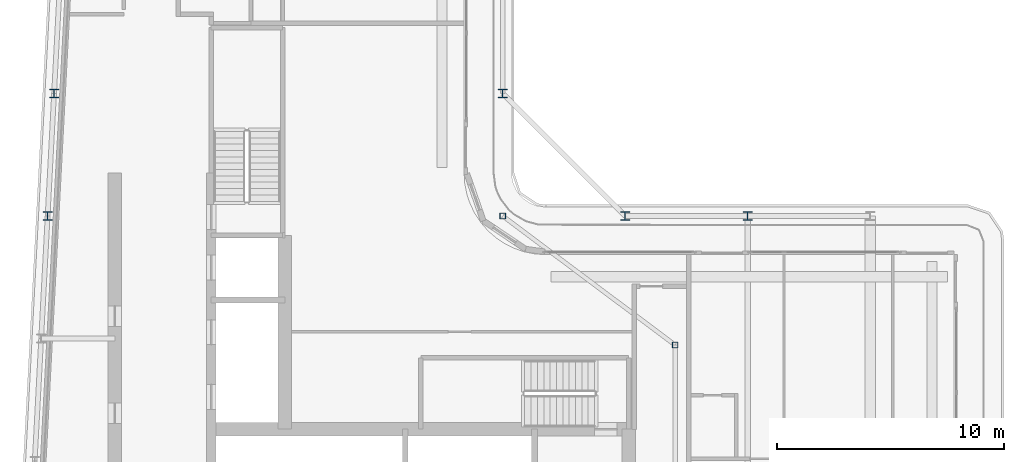
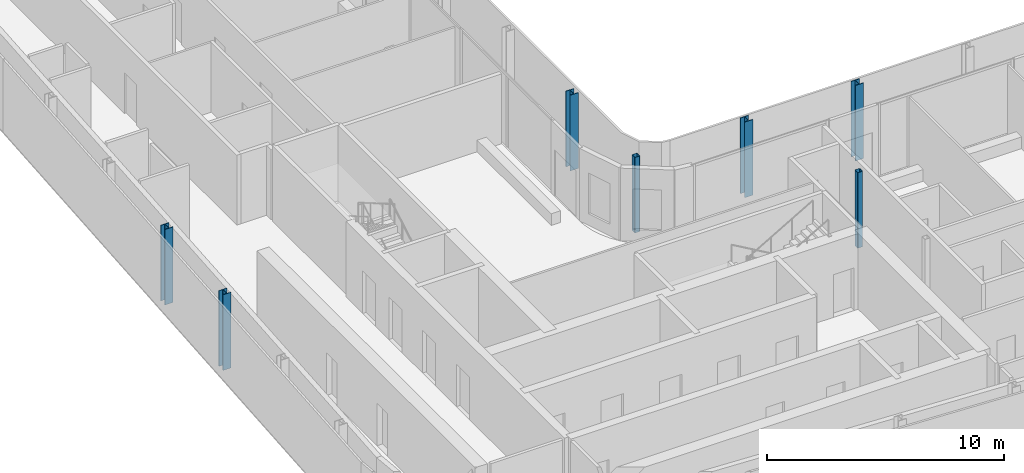
# One storey, part 2 of 21: 7 columns.
"""IFC4 building model written with IfcOpenShell, lengths in metres."""

from ifc_helpers import new_model, si_unit, direction, frame, origin, origin_2d, place, context, subcontext, project, spatial, hollow_rectangle, i_section, extrude, material, material_profile, profile_set, type_object, element, save


model = new_model("IFC4")

# Units and contexts
model_context = context("Model", 3, precision=1e-05, world=origin(), true_north=direction((0.0, 1.0)))
body_context = subcontext(model_context, "Body", "Model", "MODEL_VIEW")
ifc_project = project(units=[si_unit("LENGTHUNIT", "METRE"), si_unit("AREAUNIT", "SQUARE_METRE"), si_unit("VOLUMEUNIT", "CUBIC_METRE"), si_unit("PLANEANGLEUNIT", "RADIAN"), si_unit("MASSUNIT", "GRAM", prefix="KILO")], contexts=[model_context])

# Site, building, storey
site_placement = place(None, origin())
site = spatial("IfcSite", under=ifc_project, at=site_placement, CompositionType="ELEMENT")
building_placement = place(site_placement, origin())
building = spatial("IfcBuilding", under=site, at=building_placement, Name="Kheshtan School and Residences Tower", CompositionType="ELEMENT")
storey_placement = place(building_placement, frame((0.0, 0.0, 317.60009765625)))
storey = spatial("IfcBuildingStorey", under=building, at=storey_placement, Name="L75", CompositionType="ELEMENT", Elevation=317.60009765625)

# Columns
ifc_material_1 = material(Name="Steel ASTM A992 Grade 50", Category="steel")
ifc_material_profile_1 = material_profile(ifc_material_1, i_section(OverallWidth=0.39501953125, OverallDepth=0.3798828125, WebThickness=0.018798828125, FlangeThickness=0.0302734375, FilletRadius=0.011474609375, at=origin_2d()), Name="W360x237")
ifc_profile_set_1 = profile_set([ifc_material_profile_1], Name="Steel ASTM A992 Grade 50")
column_type_1 = type_object("IfcColumnType", Name="Column C5 W360x237 ASTM A992 Grade 50", PredefinedType="COLUMN", material=ifc_profile_set_1)
for number, where, z_axis, x_axis, name in (
    (1, (27.537109375, 45.60009765625, 0.0), (0.0, 0.0, 1.0), (1.0, 0.0, 0.0), "Column C059"),
    (2, (53.0, 45.60009765625, 0.0), (0.0, 0.0, 1.0), (1.0, 0.0, 0.0), "Column C061"),
    (3, (58.39990234375, 45.60009765625, 0.0), (0.0, 0.0, 1.0), (1.0, 0.0, 0.0), "Column C062"),
    (4, (27.822021484375, 51.0, 0.0), (0.0, 0.0, 1.0), (1.0, 0.0, 0.0), "Column C078"),
    (5, (47.60009765625, 51.0, 0.0), (0.0, 0.0, 1.0), (1.0, 0.0, 0.0), "Column C079"),
):
    element("IfcColumn", number, at=place(storey_placement, frame(where, z_axis=z_axis, x_axis=x_axis)), inside=storey, type_object=column_type_1, Name=name, PredefinedType="COLUMN", context=body_context, shape_type="SweptSolid", body=[
        extrude(i_section(OverallWidth=0.39501953125, OverallDepth=0.3798828125, WebThickness=0.018798828125, FlangeThickness=0.0302734375, FilletRadius=0.011474609375, at=origin_2d()), origin(), (0.0, 0.0, 1.0), 3.89990234375),
    ])
ifc_material_2 = material(Name="Steel ASTM A500 Grade C", Category="steel")
ifc_material_profile_2 = material_profile(ifc_material_2, hollow_rectangle(XDim=0.25390625, YDim=0.25390625, WallThickness=0.0126953125, InnerFilletRadius=0.0126953125, OuterFilletRadius=0.025390625, at=origin_2d()), Name="HSS 254x254x12.7")
ifc_profile_set_2 = profile_set([ifc_material_profile_2], Name="Steel ASTM A500 Grade C")
column_type_2 = type_object("IfcColumnType", Name="Column IC3 HSS 254x254x12.7 ASTM A500 Grade C", PredefinedType="COLUMN", material=ifc_profile_set_2)
for number, where, z_axis, x_axis, name in (
    (6, (55.199951171875, 39.916015625, 0.0), (0.0, 0.0, 1.0), (1.0, 0.0, 0.0), "Column C055"),
    (7, (47.60009765625, 45.60009765625, 0.0), (0.0, 0.0, 1.0), (1.0, 0.0, 0.0), "Column C060"),
):
    element("IfcColumn", number, at=place(storey_placement, frame(where, z_axis=z_axis, x_axis=x_axis)), inside=storey, type_object=column_type_2, Name=name, PredefinedType="COLUMN", context=body_context, shape_type="SweptSolid", body=[
        extrude(hollow_rectangle(XDim=0.25390625, YDim=0.25390625, WallThickness=0.0126953125, InnerFilletRadius=0.0126953125, OuterFilletRadius=0.025390625, at=origin_2d()), origin(), (0.0, 0.0, 1.0), 3.89990234375),
    ])

save(model, "model.ifc")
